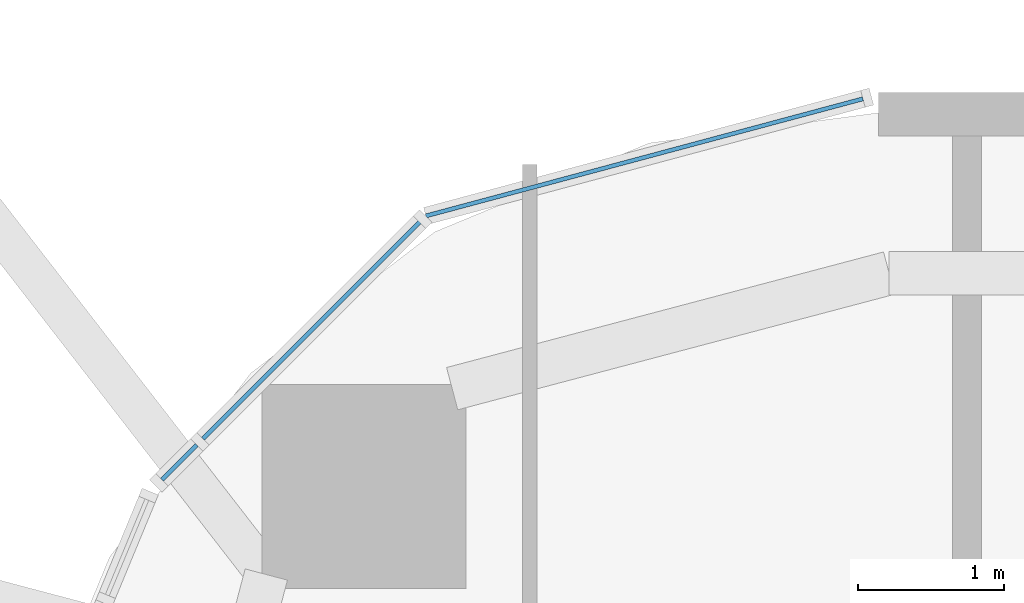
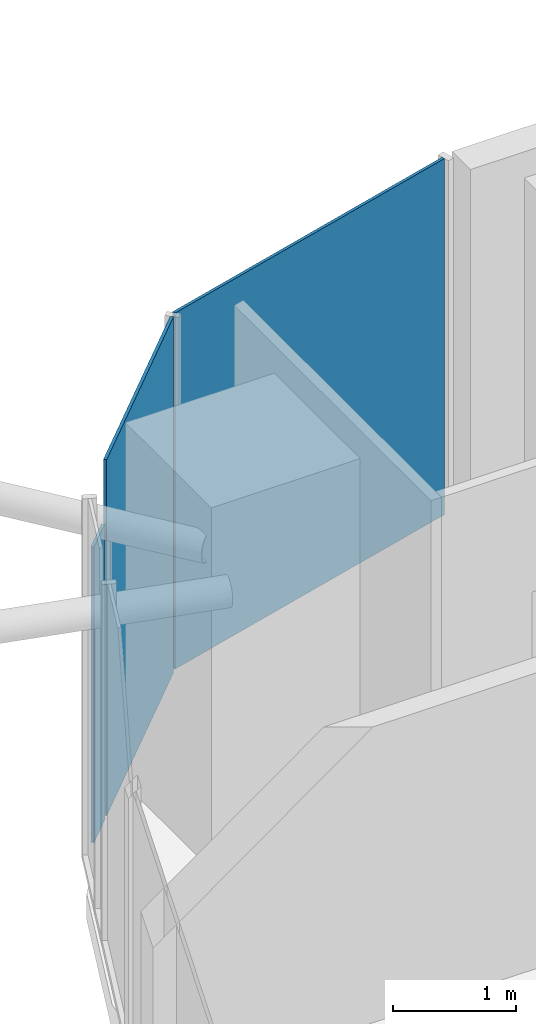
# One storey, part 20 of 31: 3 plates, 3 elements without a shape of their own.
"""IFC4 building model written with IfcOpenShell, lengths in metres."""

from ifc_helpers import new_model, si_unit, direction, frame, origin, origin_2d, place, context, subcontext, project, spatial, rectangle, extrude, material, layer, layer_set, type_object, element, aggregate, save


model = new_model("IFC4")

# Units and contexts
model_context = context("Model", 3, precision=1e-05, world=origin(), true_north=direction((0.0, 1.0)))
body_context = subcontext(model_context, "Body", "Model", "MODEL_VIEW")
ifc_project = project(units=[si_unit("LENGTHUNIT", "METRE"), si_unit("AREAUNIT", "SQUARE_METRE"), si_unit("VOLUMEUNIT", "CUBIC_METRE"), si_unit("PLANEANGLEUNIT", "RADIAN"), si_unit("MASSUNIT", "GRAM", prefix="KILO")], contexts=[model_context])

# Site, building, storey
site_placement = place(None, origin())
site = spatial("IfcSite", under=ifc_project, at=site_placement, CompositionType="ELEMENT")
building_placement = place(site_placement, origin())
building = spatial("IfcBuilding", under=site, at=building_placement, Name="Marenta Gate Hotel Tower", CompositionType="ELEMENT")
storey_placement = place(building_placement, frame((0.0, 0.0, 234.5)))
storey = spatial("IfcBuildingStorey", under=building, at=storey_placement, Name="L55", CompositionType="ELEMENT", Elevation=234.5)

# Curtain wall, plate
ifc_material_1 = material(Name="Tinted insulated glass in bronze anodised frame", Category="glass")
ifc_layer_1 = layer(ifc_material_1, 0.1201171875)
ifc_layer_set_1 = layer_set([ifc_layer_1], Name="Tinted insulated glass in bronze anodised frame")
curtain_wall_type = type_object("IfcCurtainWallType", Name="Tower unitised curtain wall CW1", PredefinedType="NOTDEFINED", material=ifc_layer_set_1)
curtain_wall_1_placement = place(storey_placement, origin())
curtain_wall_1 = element("IfcCurtainWall", 1, at=curtain_wall_1_placement, inside=storey, type_object=curtain_wall_type, Name="CW1 run G00", PredefinedType="NOTDEFINED")
ifc_material_2 = material(Name="Tinted insulated glass", Category="glass")
ifc_layer_2 = layer(ifc_material_2, 0.028076171875)
ifc_layer_set_2 = layer_set([ifc_layer_2], Name="Tinted insulated glass")
plate_type = type_object("IfcPlateType", Name="Glass panel CW1 28 mm tinted insulated unit", PredefinedType="CURTAIN_PANEL", material=ifc_layer_set_2)
plate_1_placement = place(storey_placement, frame((-20.813720703125, 22.19384765625, 0.06005859375), z_axis=(0.0, 0.0, 1.0), x_axis=(-0.965930559685, -0.258801379183, 0.0)))
plate_1 = element("IfcPlate", 2, at=plate_1_placement, type_object=plate_type, Name="CW1 panel 1.1", PredefinedType="CURTAIN_PANEL", context=body_context, shape_type="SweptSolid", body=[
    extrude(rectangle(XDim=3.104248046875, YDim=0.028076171875, at=origin_2d()), origin(), (0.0, 0.0, 1.0), 3.5400390625),
])
aggregate(curtain_wall_1, [plate_1])

curtain_wall_2_placement = place(storey_placement, origin())
curtain_wall_2 = element("IfcCurtainWall", 3, at=curtain_wall_2_placement, inside=storey, type_object=curtain_wall_type, Name="CW1 run G01", PredefinedType="NOTDEFINED")
plate_2_placement = place(storey_placement, frame((-23.0986328125, 21.00634765625, 0.06005859375), z_axis=(0.0, 0.0, 1.0), x_axis=(-0.707106781187, -0.707106781187, 0.0)))
plate_2 = element("IfcPlate", 4, at=plate_2_placement, type_object=plate_type, Name="CW1 panel 1.1", PredefinedType="CURTAIN_PANEL", context=body_context, shape_type="SweptSolid", body=[
    extrude(rectangle(XDim=2.1025390625, YDim=0.028076171875, at=origin_2d()), origin(), (0.0, 0.0, 1.0), 3.5400390625),
])
aggregate(curtain_wall_2, [plate_2])

curtain_wall_3_placement = place(storey_placement, origin())
curtain_wall_3 = element("IfcCurtainWall", 5, at=curtain_wall_3_placement, inside=storey, type_object=curtain_wall_type, Name="CW1 run G02", PredefinedType="NOTDEFINED")
plate_3_placement = place(storey_placement, frame((-24.003662109375, 20.1015625, 0.06005859375), z_axis=(0.0, 0.0, 1.0), x_axis=(-0.707106781187, -0.707106781187, 0.0)))
plate_3 = element("IfcPlate", 6, at=plate_3_placement, type_object=plate_type, Name="CW1 panel 1.1", PredefinedType="CURTAIN_PANEL", context=body_context, shape_type="SweptSolid", body=[
    extrude(rectangle(XDim=0.336669921875, YDim=0.028076171875, at=origin_2d()), origin(), (0.0, 0.0, 1.0), 2.9404296875),
])
aggregate(curtain_wall_3, [plate_3])

save(model, "model.ifc")
